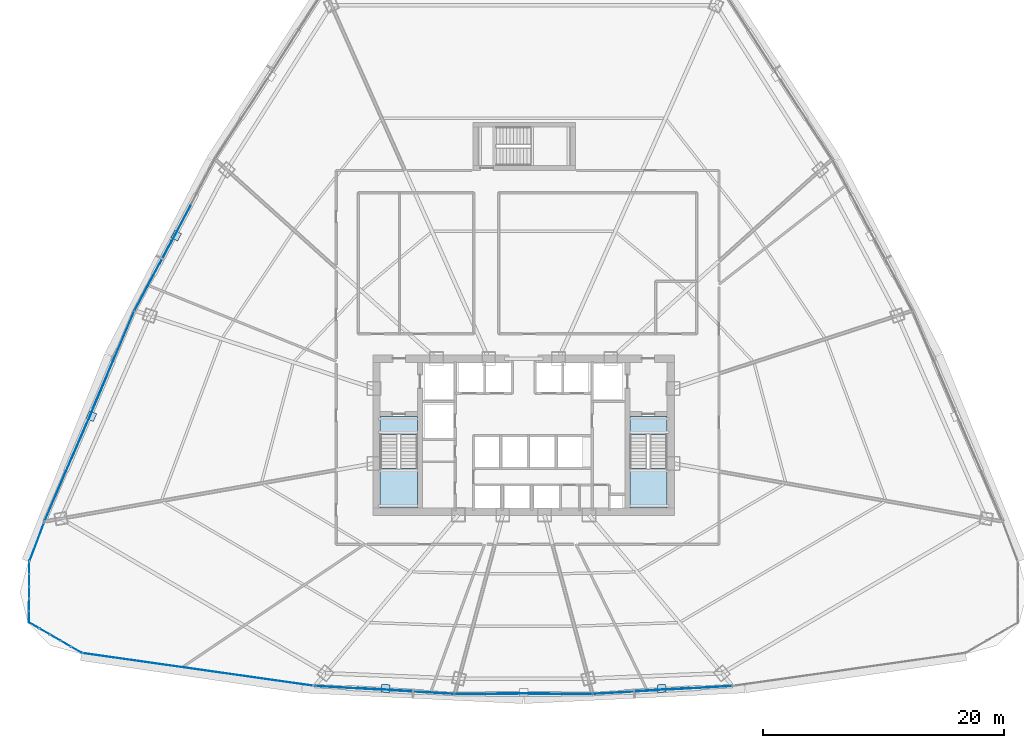
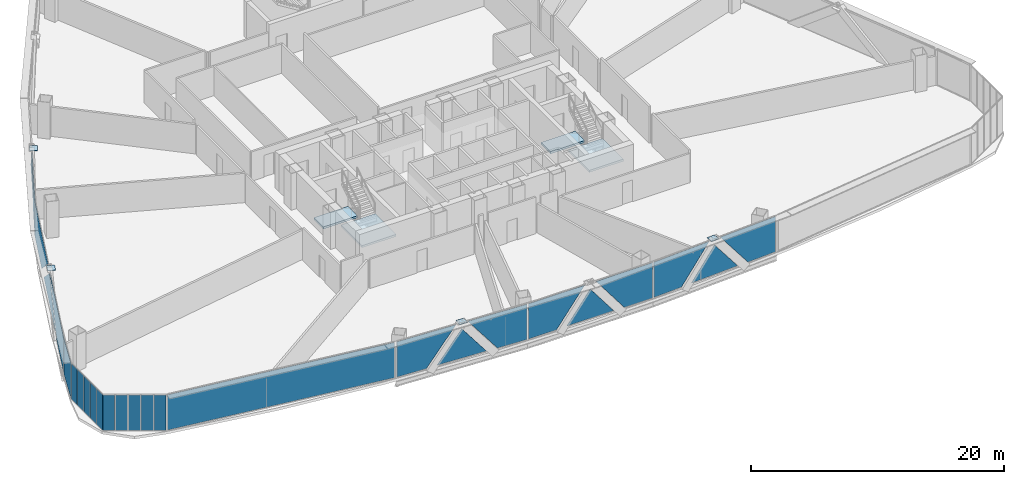
# One storey, part 30 of 41: 30 plates, 4 slabs, 11 elements without a shape of their own.
"""IFC4 building model written with IfcOpenShell, lengths in metres."""

from ifc_helpers import new_model, si_unit, direction, frame, origin, origin_2d, place, context, subcontext, project, spatial, polyline, rectangle, outline, extrude, source, transform, mapped, material, layer, layer_set, type_object, element, aggregate, save


model = new_model("IFC4")

# Units and contexts
model_context = context("Model", 3, precision=1e-05, world=origin(), true_north=direction((0.0, 1.0)))
body_context = subcontext(model_context, "Body", "Model", "MODEL_VIEW")
ifc_project = project(units=[si_unit("LENGTHUNIT", "METRE"), si_unit("AREAUNIT", "SQUARE_METRE"), si_unit("VOLUMEUNIT", "CUBIC_METRE"), si_unit("PLANEANGLEUNIT", "RADIAN"), si_unit("MASSUNIT", "GRAM", prefix="KILO"), si_unit("THERMODYNAMICTEMPERATUREUNIT", "KELVIN"), si_unit("POWERUNIT", "WATT")], contexts=[model_context])

# Site, building, storey
site_placement = place(None, origin())
site = spatial("IfcSite", under=ifc_project, at=site_placement, CompositionType="ELEMENT")
building_placement = place(site_placement, origin())
building = spatial("IfcBuilding", under=site, at=building_placement, Name="Yunzhuo Pagoda Commons", CompositionType="ELEMENT")
storey_placement = place(building_placement, frame((0.0, 0.0, 115.3798828125)))
storey = spatial("IfcBuildingStorey", under=building, at=storey_placement, Name="L29", CompositionType="ELEMENT", Elevation=115.3798828125)

# Curtain wall, plates
ifc_material_1 = material(Name="Anodized aluminium 6063-T6", Category="aluminium")
ifc_layer_1 = layer(ifc_material_1, 0.1650390625)
ifc_layer_set_1 = layer_set([ifc_layer_1], Name="Anodized aluminium 6063-T6")
curtain_wall_type_1 = type_object("IfcCurtainWallType", Name="CW-LOW Low-Zone Ribbon Curtain Wall", PredefinedType="NOTDEFINED", material=ifc_layer_set_1)
curtain_wall_1_placement = place(storey_placement, origin())
curtain_wall_1 = element("IfcCurtainWall", 1, at=curtain_wall_1_placement, inside=storey, type_object=curtain_wall_type_1, Name="L29 curtain wall CW-L29-F1B2", PredefinedType="NOTDEFINED")
ifc_material_2 = material(Name="Tempered low-e double glazing", Category="glass")
ifc_layer_2 = layer(ifc_material_2, 0.028076171875)
ifc_layer_set_2 = layer_set([ifc_layer_2], Name="Tempered low-e double glazing")
plate_type_1 = type_object("IfcPlateType", Name="CW-LOW-P Low-E Double Glazing 28", PredefinedType="CURTAIN_PANEL", material=ifc_layer_set_2)
plate_1_placement = place(storey_placement, frame((33.3505859375, 12.91552734375, 1.760009765625), z_axis=(-0.057027757736, -0.998372593197, 0.0), x_axis=(0.998372593197, -0.057027757736, 0.0)))
plate_1 = element("IfcPlate", 2, at=plate_1_placement, type_object=plate_type_1, Name="CW panel 1.1 lite 1", PredefinedType="CURTAIN_PANEL", context=body_context, shape_type="SweptSolid", body=[
    extrude(outline(polyline([(-2.613037109375, -1.699951171875), (-0.0029296875, -1.699951171875), (2.613037109375, 1.699951171875), (-2.613037109375, 1.699951171875), (-2.613037109375, -1.699951171875)])), origin(), (0.0, 0.0, 1.0), 0.028076171875),
])
plate_2_placement = place(storey_placement, frame((36.48583984375, 12.7666015625, 1.478515625), z_axis=(-0.057027757736, -0.998372593197, 0.0), x_axis=(0.998372593197, -0.057027757736, 0.0)))
plate_2 = element("IfcPlate", 3, at=plate_2_placement, type_object=plate_type_1, Name="CW panel 1.1 lite 2", PredefinedType="CURTAIN_PANEL", context=body_context, shape_type="SweptSolid", body=[
    extrude(outline(polyline([(-2.1826171875, -1.41845703125), (2.1826171875, -1.41845703125), (0.0, 1.41845703125), (-2.1826171875, -1.41845703125)])), origin(), (0.0, 0.0, 1.0), 0.028076171875),
])
plate_3_placement = place(storey_placement, frame((39.617431640625, 12.5576171875, 1.760009765625), z_axis=(-0.057027757736, -0.998372593197, 0.0), x_axis=(0.998372593197, -0.057027757736, 0.0)))
plate_3 = element("IfcPlate", 4, at=plate_3_placement, type_object=plate_type_1, Name="CW panel 1.1 lite 3", PredefinedType="CURTAIN_PANEL", context=body_context, shape_type="SweptSolid", body=[
    extrude(outline(polyline([(-2.613037109375, 1.699951171875), (0.0029296875, -1.699951171875), (2.613037109375, -1.699951171875), (2.613037109375, 1.699951171875), (-2.613037109375, 1.699951171875)])), origin(), (0.0, 0.0, 1.0), 0.028076171875),
])
aggregate(curtain_wall_1, [plate_1, plate_2, plate_3])

curtain_wall_2_placement = place(storey_placement, origin())
curtain_wall_2 = element("IfcCurtainWall", 5, at=curtain_wall_2_placement, inside=storey, type_object=curtain_wall_type_1, Name="L29 curtain wall CW-L29-F1B3", PredefinedType="NOTDEFINED")
plate_4_placement = place(storey_placement, frame((44.9169921875, 12.4052734375, 1.760009765625), z_axis=(0.0, -1.0, 0.0), x_axis=(1.0, 0.0, 0.0)))
plate_4 = element("IfcPlate", 6, at=plate_4_placement, type_object=plate_type_1, Name="CW panel 1.1 lite 1", PredefinedType="CURTAIN_PANEL", context=body_context, shape_type="SweptSolid", body=[
    extrude(outline(polyline([(-2.5615234375, -1.699951171875), (-0.006103515625, -1.699951171875), (2.5615234375, 1.699951171875), (-2.5615234375, 1.699951171875), (-2.5615234375, -1.699951171875)])), origin(), (0.0, 0.0, 1.0), 0.028076171875),
])
plate_5_placement = place(storey_placement, frame((48.0, 12.43505859375, 1.474853515625), z_axis=(0.0, -1.0, 0.0), x_axis=(1.0, 0.0, 0.0)))
plate_5 = element("IfcPlate", 7, at=plate_5_placement, type_object=plate_type_1, Name="CW panel 1.1 lite 2", PredefinedType="CURTAIN_PANEL", context=body_context, shape_type="SweptSolid", body=[
    extrude(outline(polyline([(-2.136962890625, -1.414794921875), (2.136962890625, -1.414794921875), (0.0, 1.414794921875), (-2.136962890625, -1.414794921875)])), origin(), (0.0, 0.0, 1.0), 0.028076171875),
])
plate_6_placement = place(storey_placement, frame((51.0830078125, 12.4052734375, 1.760009765625), z_axis=(0.0, -1.0, 0.0), x_axis=(1.0, 0.0, 0.0)))
plate_6 = element("IfcPlate", 8, at=plate_6_placement, type_object=plate_type_1, Name="CW panel 1.1 lite 3", PredefinedType="CURTAIN_PANEL", context=body_context, shape_type="SweptSolid", body=[
    extrude(outline(polyline([(-2.5615234375, 1.699951171875), (0.006103515625, -1.699951171875), (2.5615234375, -1.699951171875), (2.5615234375, 1.699951171875), (-2.5615234375, 1.699951171875)])), origin(), (0.0, 0.0, 1.0), 0.028076171875),
])
aggregate(curtain_wall_2, [plate_4, plate_5, plate_6])

curtain_wall_3_placement = place(storey_placement, origin())
curtain_wall_3 = element("IfcCurtainWall", 9, at=curtain_wall_3_placement, inside=storey, type_object=curtain_wall_type_1, Name="L29 curtain wall CW-L29-F1B4", PredefinedType="NOTDEFINED")
plate_7_placement = place(storey_placement, frame((56.382568359375, 12.5576171875, 1.760009765625), z_axis=(0.057027757736, -0.998372593197, 0.0), x_axis=(0.998372593197, 0.057027757736, 0.0)))
plate_7 = element("IfcPlate", 10, at=plate_7_placement, type_object=plate_type_1, Name="CW panel 1.1 lite 1", PredefinedType="CURTAIN_PANEL", context=body_context, shape_type="SweptSolid", body=[
    extrude(outline(polyline([(-2.613037109375, -1.699951171875), (-0.0029296875, -1.699951171875), (2.613037109375, 1.699951171875), (-2.613037109375, 1.699951171875), (-2.613037109375, -1.699951171875)])), origin(), (0.0, 0.0, 1.0), 0.028076171875),
])
plate_8_placement = place(storey_placement, frame((59.51416015625, 12.7666015625, 1.478515625), z_axis=(0.057027757736, -0.998372593197, 0.0), x_axis=(0.998372593197, 0.057027757736, 0.0)))
plate_8 = element("IfcPlate", 11, at=plate_8_placement, type_object=plate_type_1, Name="CW panel 1.1 lite 2", PredefinedType="CURTAIN_PANEL", context=body_context, shape_type="SweptSolid", body=[
    extrude(outline(polyline([(-2.1826171875, -1.41845703125), (2.1826171875, -1.41845703125), (0.0, 1.41845703125), (-2.1826171875, -1.41845703125)])), origin(), (0.0, 0.0, 1.0), 0.028076171875),
])
plate_9_placement = place(storey_placement, frame((62.6494140625, 12.91552734375, 1.760009765625), z_axis=(0.057027757736, -0.998372593197, 0.0), x_axis=(0.998372593197, 0.057027757736, 0.0)))
plate_9 = element("IfcPlate", 12, at=plate_9_placement, type_object=plate_type_1, Name="CW panel 1.1 lite 3", PredefinedType="CURTAIN_PANEL", context=body_context, shape_type="SweptSolid", body=[
    extrude(outline(polyline([(-2.613037109375, 1.699951171875), (0.0029296875, -1.699951171875), (2.613037109375, -1.699951171875), (2.613037109375, 1.699951171875), (-2.613037109375, 1.699951171875)])), origin(), (0.0, 0.0, 1.0), 0.028076171875),
])
aggregate(curtain_wall_3, [plate_7, plate_8, plate_9])

curtain_wall_4_placement = place(storey_placement, origin())
curtain_wall_4 = element("IfcCurtainWall", 13, at=curtain_wall_4_placement, inside=storey, type_object=curtain_wall_type_1, Name="L29 curtain wall CW-L29-F3B3", PredefinedType="NOTDEFINED")
plate_10_placement = place(storey_placement, frame((19.11376953125, 50.441650390625, 1.5126953125), z_axis=(-0.88333303698, 0.468745928813, 0.0), x_axis=(-0.468745928813, -0.88333303698, 0.0)))
plate_10 = element("IfcPlate", 14, at=plate_10_placement, type_object=plate_type_1, Name="CW panel 1.1 lite 2", PredefinedType="CURTAIN_PANEL", context=body_context, shape_type="SweptSolid", body=[
    extrude(outline(polyline([(-2.732666015625, -1.45263671875), (2.732666015625, -1.45263671875), (0.0, 1.45263671875), (-2.732666015625, -1.45263671875)])), origin(), (0.0, 0.0, 1.0), 0.028076171875),
])
plate_11_placement = place(storey_placement, frame((17.300537109375, 47.088623046875, 1.760009765625), z_axis=(-0.88333303698, 0.468745928813, 0.0), x_axis=(-0.468745928813, -0.88333303698, 0.0)))
plate_11 = element("IfcPlate", 15, at=plate_11_placement, type_object=plate_type_1, Name="CW panel 1.1 lite 3", PredefinedType="CURTAIN_PANEL", context=body_context, shape_type="SweptSolid", body=[
    extrude(outline(polyline([(-3.23388671875, 1.699951171875), (-0.035888671875, -1.699951171875), (3.23388671875, -1.699951171875), (3.23388671875, 1.699951171875), (-3.23388671875, 1.699951171875)])), origin(), (0.0, 0.0, 1.0), 0.028076171875),
])
aggregate(curtain_wall_4, [plate_10, plate_11])

curtain_wall_5_placement = place(storey_placement, origin())
curtain_wall_5 = element("IfcCurtainWall", 16, at=curtain_wall_5_placement, inside=storey, type_object=curtain_wall_type_1, Name="L29 curtain wall CW-L29-F3B4", PredefinedType="NOTDEFINED")
plate_12_placement = place(storey_placement, frame((14.009765625, 40.08984375, 1.760009765625), z_axis=(-0.919648900825, 0.392741517046, 0.0), x_axis=(-0.392741517046, -0.919648900825, 0.0)))
plate_12 = element("IfcPlate", 17, at=plate_12_placement, type_object=plate_type_1, Name="CW panel 1.1 lite 1", PredefinedType="CURTAIN_PANEL", context=body_context, shape_type="SweptSolid", body=[
    extrude(outline(polyline([(-4.3779296875, -1.699951171875), (0.102294921875, -1.699951171875), (4.3779296875, 1.699951171875), (-4.3779296875, 1.699951171875), (-4.3779296875, -1.699951171875)])), origin(), (0.0, 0.0, 1.0), 0.028076171875),
])
plate_13_placement = place(storey_placement, frame((12.048583984375, 35.4208984375, 1.54736328125), z_axis=(-0.919648900825, 0.392741517046, 0.0), x_axis=(-0.392741517046, -0.919648900825, 0.0)))
plate_13 = element("IfcPlate", 18, at=plate_13_placement, type_object=plate_type_1, Name="CW panel 1.1 lite 2", PredefinedType="CURTAIN_PANEL", context=body_context, shape_type="SweptSolid", body=[
    extrude(outline(polyline([(-3.740478515625, -1.4873046875), (3.740478515625, -1.4873046875), (0.0, 1.4873046875), (-3.740478515625, -1.4873046875)])), origin(), (0.0, 0.0, 1.0), 0.028076171875),
])
plate_14_placement = place(storey_placement, frame((10.0322265625, 30.775634765625, 1.760009765625), z_axis=(-0.919648900825, 0.392741517046, 0.0), x_axis=(-0.392741517046, -0.919648900825, 0.0)))
plate_14 = element("IfcPlate", 19, at=plate_14_placement, type_object=plate_type_1, Name="CW panel 1.1 lite 3", PredefinedType="CURTAIN_PANEL", context=body_context, shape_type="SweptSolid", body=[
    extrude(outline(polyline([(-4.3779296875, 1.699951171875), (-0.102294921875, -1.699951171875), (4.3779296875, -1.699951171875), (4.3779296875, 1.699951171875), (-4.3779296875, 1.699951171875)])), origin(), (0.0, 0.0, 1.0), 0.028076171875),
])
aggregate(curtain_wall_5, [plate_12, plate_13, plate_14])

# Stair, slabs
ifc_material_3 = material(Name="Concrete C40", Category="concrete")
stair_type_1 = type_object("IfcStairType", Name="ST-C1 Core Smokeproof Stair ST1", PredefinedType="HALF_TURN_STAIR", material=ifc_material_3)
stair_1_placement = place(storey_placement, origin())
stair_1 = element("IfcStair", 20, at=stair_1_placement, inside=storey, type_object=stair_type_1, Name="L29 Core smokeproof stair ST1", PredefinedType="HALF_TURN_STAIR")
ifc_layer_3 = layer(ifc_material_3, 0.199951171875)
ifc_layer_set_3 = layer_set([ifc_layer_3], Name="Concrete C40")
slab_type_1 = type_object("IfcSlabType", Name="SL-LND1 Stair Landing Slab 200", PredefinedType="LANDING", material=ifc_layer_set_3)
slab_1_placement = place(storey_placement, frame((0.0, 0.0, 1.7001953125)))
slab_1 = element("IfcSlab", 21, at=slab_1_placement, type_object=slab_type_1, Name="ST1 landing 1", PredefinedType="LANDING", context=body_context, shape_type="SweptSolid", body=[
    extrude(outline(polyline([(36.10009765625, 31.10009765625), (36.10009765625, 27.800048828125), (39.199951171875, 27.800048828125), (39.199951171875, 31.10009765625), (36.10009765625, 31.10009765625)])), origin(), (0.0, 0.0, 1.0), 0.199951171875),
])
slab_2_placement = place(storey_placement, frame((0.0, 0.0, -0.199951171875)))
slab_2 = element("IfcSlab", 22, at=slab_2_placement, type_object=slab_type_1, Name="ST1 floor landing L29", PredefinedType="LANDING", context=body_context, shape_type="SweptSolid", body=[
    extrude(outline(polyline([(36.10009765625, 35.39990234375), (36.10009765625, 33.89990234375), (39.199951171875, 33.89990234375), (39.199951171875, 35.39990234375), (36.10009765625, 35.39990234375)])), origin(), (0.0, 0.0, 1.0), 0.199951171875),
])
aggregate(stair_1, [slab_1, slab_2])

stair_type_2 = type_object("IfcStairType", Name="ST-C2 Core Smokeproof Stair ST2", PredefinedType="HALF_TURN_STAIR", material=ifc_material_3)
stair_2_placement = place(storey_placement, origin())
stair_2 = element("IfcStair", 23, at=stair_2_placement, inside=storey, type_object=stair_type_2, Name="L29 Core smokeproof stair ST2", PredefinedType="HALF_TURN_STAIR")
ifc_layer_4 = layer(ifc_material_3, 0.201904296875)
ifc_layer_set_4 = layer_set([ifc_layer_4], Name="Concrete C40")
slab_type_2 = type_object("IfcSlabType", Name="SL-LND2 Stair Landing Slab 202", PredefinedType="LANDING", material=ifc_layer_set_4)
slab_3_placement = place(storey_placement, frame((0.0, 0.0, 1.7001953125)))
slab_3 = element("IfcSlab", 24, at=slab_3_placement, type_object=slab_type_2, Name="ST2 landing 1", PredefinedType="LANDING", context=body_context, shape_type="SweptSolid", body=[
    extrude(outline(polyline([(56.800048828125, 31.10009765625), (56.800048828125, 27.800048828125), (59.89990234375, 27.800048828125), (59.89990234375, 31.10009765625), (56.800048828125, 31.10009765625)])), origin(), (0.0, 0.0, 1.0), 0.199951171875),
])
slab_4_placement = place(storey_placement, frame((0.0, 0.0, -0.199951171875)))
slab_4 = element("IfcSlab", 25, at=slab_4_placement, type_object=slab_type_2, Name="ST2 floor landing L29", PredefinedType="LANDING", context=body_context, shape_type="SweptSolid", body=[
    extrude(outline(polyline([(56.800048828125, 35.39990234375), (56.800048828125, 33.89990234375), (59.89990234375, 33.89990234375), (59.89990234375, 35.39990234375), (56.800048828125, 35.39990234375)])), origin(), (0.0, 0.0, 1.0), 0.199951171875),
])
aggregate(stair_2, [slab_3, slab_4])

# Plates
ifc_material_4 = material(Name="Structural steel Q355B", Category="steel")
ifc_layer_5 = layer(ifc_material_4, 0.028076171875)
ifc_layer_set_5 = layer_set([ifc_layer_5], Name="Structural steel Q355B")
plate_type_2 = type_object("IfcPlateType", Name="SP-ND1 Lattice Node Cap Plate 800x500x28", PredefinedType="USERDEFINED", material=ifc_layer_set_5)
shared_shape_1 = source(origin(), body_context, "Body", "SweptSolid", [
    extrude(rectangle(XDim=0.699951171875, YDim=0.64453125, at=origin_2d()), origin(), (0.0, 0.0, 1.0), 0.035888671875),
])
for number, where, z_axis, x_axis, name in (
    (26, (36.55419921875, 12.851806640625, 3.48193359375), (0.0, 0.0, 1.0), (0.998372815622, -0.057023863656, 0.0), "L29 setback lattice tie plate F1.1L"),
    (27, (59.44580078125, 12.851806640625, 3.48193359375), (0.0, 0.0, 1.0), (0.998372815622, 0.057023863656, 0.0), "L29 setback lattice tie plate F1.3L"),
):
    element("IfcPlate", number, at=place(storey_placement, frame(where, z_axis=z_axis, x_axis=x_axis)), inside=storey, type_object=plate_type_2, Name=name, ObjectType="STIFFENER_PLATE", PredefinedType="USERDEFINED", context=body_context, shape_type="MappedRepresentation", body=[
        mapped(shared_shape_1, transform((0.0, 0.0, 0.0), scale=1.0)),
    ])
shared_shape_2 = source(origin(), body_context, "Body", "SweptSolid", [
    extrude(rectangle(XDim=0.699951171875, YDim=0.625732421875, at=origin_2d()), origin(), (0.0, 0.0, 1.0), 0.035888671875),
])
plate_15_placement = place(storey_placement, frame((19.1943359375, 50.393310546875, 3.48193359375), z_axis=(0.0, 0.0, 1.0), x_axis=(-0.46874711881, -0.8833324055, 0.0)))
element("IfcPlate", 28, at=plate_15_placement, inside=storey, type_object=plate_type_2, Name="L29 setback lattice tie plate F3.2L", ObjectType="STIFFENER_PLATE", PredefinedType="USERDEFINED", context=body_context, shape_type="MappedRepresentation", body=[
    mapped(shared_shape_2, transform((0.0, 0.0, 0.0), scale=1.0)),
])
shared_shape_3 = source(origin(), body_context, "Body", "SweptSolid", [
    extrude(rectangle(XDim=0.699951171875, YDim=0.654052734375, at=origin_2d()), origin(), (0.0, 0.0, 1.0), 0.035888671875),
])
plate_16_placement = place(storey_placement, frame((12.159912109375, 35.431396484375, 3.48193359375), z_axis=(0.0, 0.0, 1.0), x_axis=(-0.392738427085, -0.919650220405, 0.0)))
element("IfcPlate", 29, at=plate_16_placement, inside=storey, type_object=plate_type_2, Name="L29 setback lattice tie plate F3.3L", ObjectType="STIFFENER_PLATE", PredefinedType="USERDEFINED", context=body_context, shape_type="MappedRepresentation", body=[
    mapped(shared_shape_3, transform((0.0, 0.0, 0.0), scale=1.0)),
])

# Curtain wall, plate
curtain_wall_6_placement = place(storey_placement, origin())
curtain_wall_6 = element("IfcCurtainWall", 30, at=curtain_wall_6_placement, inside=storey, type_object=curtain_wall_type_1, Name="L29 curtain wall CW-L29-F1B1", PredefinedType="NOTDEFINED")
shared_shape_4 = source(origin(), body_context, "Body", "SweptSolid", [
    extrude(rectangle(XDim=19.310546875, YDim=0.028076171875, at=origin_2d()), origin(), (0.0, 0.0, 1.0), 3.39990234375),
])
plate_17_placement = place(storey_placement, frame((20.97802734375, 14.4296875, 0.06005859375), z_axis=(0.0, 0.0, 1.0), x_axis=(0.990093724606, -0.140408035721, 0.0)))
plate_17 = element("IfcPlate", 31, at=plate_17_placement, type_object=plate_type_1, Name="CW panel 1.1", PredefinedType="CURTAIN_PANEL", context=body_context, shape_type="MappedRepresentation", body=[
    mapped(shared_shape_4, transform((0.0, 0.0, 0.0), scale=1.0)),
])
aggregate(curtain_wall_6, [plate_17])

curtain_wall_7_placement = place(storey_placement, origin())
curtain_wall_7 = element("IfcCurtainWall", 32, at=curtain_wall_7_placement, inside=storey, type_object=curtain_wall_type_1, Name="L29 curtain wall CW-L29-F3B5", PredefinedType="NOTDEFINED")
shared_shape_5 = source(origin(), body_context, "Body", "SweptSolid", [
    extrude(rectangle(XDim=3.3642578125, YDim=0.028076171875, at=origin_2d()), origin(), (0.0, 0.0, 1.0), 3.39990234375),
])
plate_18_placement = place(storey_placement, frame((7.6298828125, 24.99072265625, 0.06005859375), z_axis=(0.0, 0.0, 1.0), x_axis=(-0.353599796011, -0.935396805779, 0.0)))
plate_18 = element("IfcPlate", 33, at=plate_18_placement, type_object=plate_type_1, Name="CW panel 1.1", PredefinedType="CURTAIN_PANEL", context=body_context, shape_type="MappedRepresentation", body=[
    mapped(shared_shape_5, transform((0.0, 0.0, 0.0), scale=1.0)),
])
aggregate(curtain_wall_7, [plate_18])

# Curtain wall, plates
ifc_layer_6 = layer(ifc_material_1, 0.1298828125)
ifc_layer_set_6 = layer_set([ifc_layer_6], Name="Anodized aluminium 6063-T6")
curtain_wall_type_2 = type_object("IfcCurtainWallType", Name="CW-VTX Rounded Corner Curtain Wall", PredefinedType="NOTDEFINED", material=ifc_layer_set_6)
curtain_wall_8_placement = place(storey_placement, origin())
curtain_wall_8 = element("IfcCurtainWall", 34, at=curtain_wall_8_placement, inside=storey, type_object=curtain_wall_type_2, Name="L29 curtain wall CW-L29-VTX1S1", PredefinedType="NOTDEFINED")
ifc_layer_7 = layer(ifc_material_2, 0.02587890625)
ifc_layer_set_7 = layer_set([ifc_layer_7], Name="Tempered low-e double glazing")
plate_type_3 = type_object("IfcPlateType", Name="CW-VTX-P Low-E Double Glazing 26", PredefinedType="CURTAIN_PANEL", material=ifc_layer_set_7)
shared_shape_6 = source(origin(), body_context, "Body", "SweptSolid", [
    extrude(rectangle(XDim=0.934326171875, YDim=0.028076171875, at=origin_2d()), origin(), (0.0, 0.0, 1.0), 3.409912109375),
])
plate_19_placement = place(storey_placement, frame((7.01025390625, 22.834228515625, 0.05517578125), z_axis=(0.0, 0.0, 1.0), x_axis=(-0.003599433805, -0.999993522017, 0.0)))
plate_19 = element("IfcPlate", 35, at=plate_19_placement, type_object=plate_type_3, Name="CW panel 1.1", PredefinedType="CURTAIN_PANEL", context=body_context, shape_type="MappedRepresentation", body=[
    mapped(shared_shape_6, transform((0.0, 0.0, 0.0), scale=1.0)),
])
plate_20_placement = place(storey_placement, frame((6.995849609375, 18.794677734375, 0.05517578125), z_axis=(0.0, 0.0, 1.0), x_axis=(-0.003599433805, -0.999993522017, 0.0)))
plate_20 = element("IfcPlate", 36, at=plate_20_placement, type_object=plate_type_3, Name="CW panel 5.1", PredefinedType="CURTAIN_PANEL", context=body_context, shape_type="MappedRepresentation", body=[
    mapped(shared_shape_6, transform((0.0, 0.0, 0.0), scale=1.0)),
])

curtain_wall_9_placement = place(storey_placement, origin())
curtain_wall_9 = element("IfcCurtainWall", 37, at=curtain_wall_9_placement, inside=storey, type_object=curtain_wall_type_2, Name="L29 curtain wall CW-L29-VTX1S2", PredefinedType="NOTDEFINED")
plate_21_placement = place(storey_placement, frame((7.406005859375, 18.080322265625, 0.05517578125), z_axis=(0.0, 0.0, 1.0), x_axis=(0.865428529789, -0.501032393989, 0.0)))
plate_21 = element("IfcPlate", 38, at=plate_21_placement, type_object=plate_type_3, Name="CW panel 1.1", PredefinedType="CURTAIN_PANEL", context=body_context, shape_type="MappedRepresentation", body=[
    mapped(shared_shape_6, transform((0.0, 0.0, 0.0), scale=1.0)),
])
plate_22_placement = place(storey_placement, frame((10.902099609375, 16.05615234375, 0.05517578125), z_axis=(0.0, 0.0, 1.0), x_axis=(0.865428529789, -0.501032393989, 0.0)))
plate_22 = element("IfcPlate", 39, at=plate_22_placement, type_object=plate_type_3, Name="CW panel 5.1", PredefinedType="CURTAIN_PANEL", context=body_context, shape_type="MappedRepresentation", body=[
    mapped(shared_shape_6, transform((0.0, 0.0, 0.0), scale=1.0)),
])

# Plate
shared_shape_7 = source(origin(), body_context, "Body", "SweptSolid", [
    extrude(rectangle(XDim=0.9619140625, YDim=0.028076171875, at=origin_2d()), origin(), (0.0, 0.0, 1.0), 3.409912109375),
])
plate_23_placement = place(storey_placement, frame((7.006591796875, 21.831298828125, 0.05517578125), z_axis=(0.0, 0.0, 1.0), x_axis=(-0.003599433805, -0.999993522017, 0.0)))
plate_23 = element("IfcPlate", 40, at=plate_23_placement, type_object=plate_type_3, Name="CW panel 2.1", PredefinedType="CURTAIN_PANEL", context=body_context, shape_type="MappedRepresentation", body=[
    mapped(shared_shape_7, transform((0.0, 0.0, 0.0), scale=1.0)),
])

plate_24_placement = place(storey_placement, frame((7.0029296875, 20.814453125, 0.05517578125), z_axis=(0.0, 0.0, 1.0), x_axis=(-0.003599433805, -0.999993522017, 0.0)))
plate_24 = element("IfcPlate", 41, at=plate_24_placement, type_object=plate_type_3, Name="CW panel 3.1", PredefinedType="CURTAIN_PANEL", context=body_context, shape_type="MappedRepresentation", body=[
    mapped(shared_shape_7, transform((0.0, 0.0, 0.0), scale=1.0)),
])

plate_25_placement = place(storey_placement, frame((6.99951171875, 19.797607421875, 0.05517578125), z_axis=(0.0, 0.0, 1.0), x_axis=(-0.003599433805, -0.999993522017, 0.0)))
plate_25 = element("IfcPlate", 42, at=plate_25_placement, type_object=plate_type_3, Name="CW panel 4.1", PredefinedType="CURTAIN_PANEL", context=body_context, shape_type="MappedRepresentation", body=[
    mapped(shared_shape_7, transform((0.0, 0.0, 0.0), scale=1.0)),
])

aggregate(curtain_wall_8, [plate_19, plate_23, plate_24, plate_25, plate_20])

plate_26_placement = place(storey_placement, frame((8.27392578125, 17.57763671875, 0.05517578125), z_axis=(0.0, 0.0, 1.0), x_axis=(0.865428529789, -0.501032393989, 0.0)))
plate_26 = element("IfcPlate", 43, at=plate_26_placement, type_object=plate_type_3, Name="CW panel 2.1", PredefinedType="CURTAIN_PANEL", context=body_context, shape_type="MappedRepresentation", body=[
    mapped(shared_shape_7, transform((0.0, 0.0, 0.0), scale=1.0)),
])

plate_27_placement = place(storey_placement, frame((9.154052734375, 17.068115234375, 0.05517578125), z_axis=(0.0, 0.0, 1.0), x_axis=(0.865428529789, -0.501032393989, 0.0)))
plate_27 = element("IfcPlate", 44, at=plate_27_placement, type_object=plate_type_3, Name="CW panel 3.1", PredefinedType="CURTAIN_PANEL", context=body_context, shape_type="MappedRepresentation", body=[
    mapped(shared_shape_7, transform((0.0, 0.0, 0.0), scale=1.0)),
])

plate_28_placement = place(storey_placement, frame((10.0341796875, 16.558837890625, 0.05517578125), z_axis=(0.0, 0.0, 1.0), x_axis=(0.865428529789, -0.501032393989, 0.0)))
plate_28 = element("IfcPlate", 45, at=plate_28_placement, type_object=plate_type_3, Name="CW panel 4.1", PredefinedType="CURTAIN_PANEL", context=body_context, shape_type="MappedRepresentation", body=[
    mapped(shared_shape_7, transform((0.0, 0.0, 0.0), scale=1.0)),
])

aggregate(curtain_wall_9, [plate_21, plate_26, plate_27, plate_28, plate_22])

save(model, "model.ifc")
